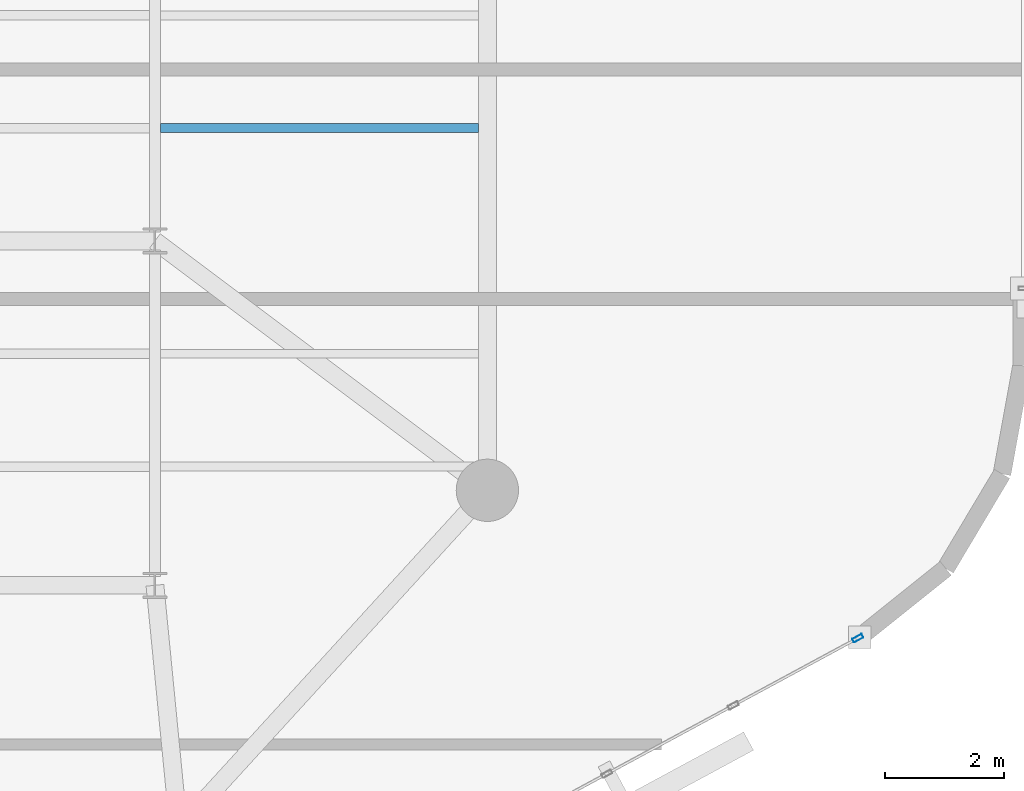
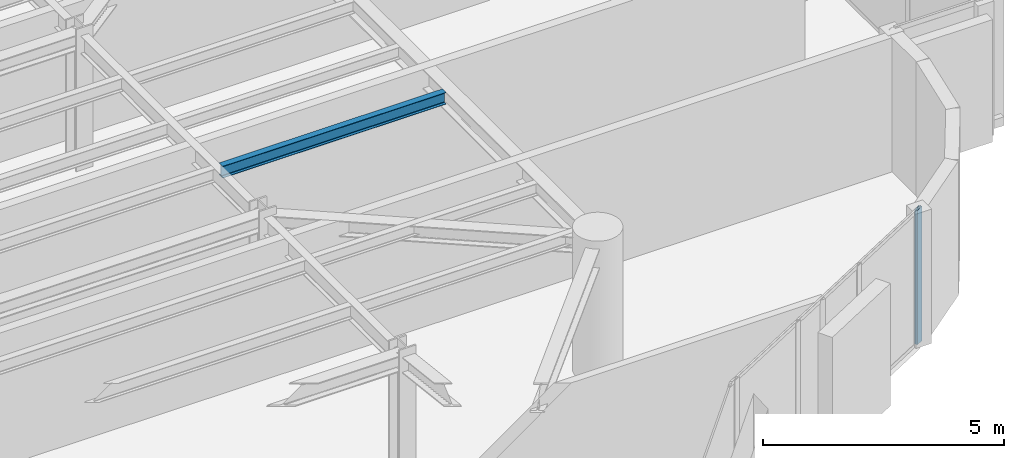
# One storey, part 3 of 14: 1 beam, 1 member, 1 element without a shape of its own.
"""IFC4 building model written with IfcOpenShell, lengths in metres."""

from ifc_helpers import new_model, si_unit, direction, frame, origin, origin_2d, place, context, subcontext, project, spatial, hollow_rectangle, i_section, extrude, material, layer, layer_set, material_profile, profile_set, type_object, element, aggregate, save


model = new_model("IFC4")

# Units and contexts
model_context = context("Model", 3, precision=1e-05, world=origin(), true_north=direction((0.0, 1.0)))
body_context = subcontext(model_context, "Body", "Model", "MODEL_VIEW")
ifc_project = project(units=[si_unit("LENGTHUNIT", "METRE"), si_unit("AREAUNIT", "SQUARE_METRE"), si_unit("VOLUMEUNIT", "CUBIC_METRE"), si_unit("PLANEANGLEUNIT", "RADIAN"), si_unit("MASSUNIT", "GRAM", prefix="KILO")], contexts=[model_context])

# Site, building, storey
site_placement = place(None, origin())
site = spatial("IfcSite", under=ifc_project, at=site_placement, CompositionType="ELEMENT")
building_placement = place(site_placement, origin())
building = spatial("IfcBuilding", under=site, at=building_placement, Name="An Khanh Terracotta Commons", CompositionType="ELEMENT")
storey_placement = place(building_placement, frame((0.0, 0.0, 219.300048828125)))
storey = spatial("IfcBuildingStorey", under=building, at=storey_placement, Name="L57", CompositionType="ELEMENT", Elevation=219.300048828125)

# Beam
ifc_material_1 = material(Name="Steel S355J2", Category="steel")
ifc_material_profile_1 = material_profile(ifc_material_1, i_section(OverallWidth=0.14990234375, OverallDepth=0.300048828125, WebThickness=0.007080078125, FlangeThickness=0.0107421875, FilletRadius=0.014892578125, at=origin_2d()), Name="IPE300")
ifc_profile_set_1 = profile_set([ifc_material_profile_1], Name="Steel S355J2")
beam_type = type_object("IfcBeamType", Name="BM-IPE300", PredefinedType="JOIST", material=ifc_profile_set_1)
beam_placement = place(storey_placement, frame((54.094970703125, 22.10009765625, 3.25), z_axis=(1.0, 0.0, 0.0), x_axis=(0.0, 1.0, 0.0)))
element("IfcBeam", 1, at=beam_placement, inside=storey, type_object=beam_type, Name="L57 Riverfront Composite Joist 3", PredefinedType="JOIST", context=body_context, shape_type="SweptSolid", body=[
    extrude(i_section(OverallWidth=0.14990234375, OverallDepth=0.300048828125, WebThickness=0.007080078125, FlangeThickness=0.0107421875, FilletRadius=0.014892578125, at=origin_2d()), origin(), (0.0, 0.0, 1.0), 5.35498046875),
])

# Curtain wall, member
ifc_material_2 = material(Name="Anodised Aluminium 6063-T6", Category="aluminium")
ifc_layer = layer(ifc_material_2, 0.2099609375, Name="Anodised Aluminium 6063-T6")
ifc_layer_set = layer_set([ifc_layer], Name="Anodised Aluminium 6063-T6")
curtain_wall_type = type_object("IfcCurtainWallType", Name="CW-SYS-03", PredefinedType="USERDEFINED", material=ifc_layer_set)
curtain_wall_placement = place(storey_placement, origin())
curtain_wall = element("IfcCurtainWall", 2, at=curtain_wall_placement, inside=storey, type_object=curtain_wall_type, Name="L57 CW-03 Unitised Curtain Wall CW-L57-08", ObjectType="UNITISED CURTAIN WALL", PredefinedType="USERDEFINED")
ifc_material_profile_2 = material_profile(ifc_material_2, hollow_rectangle(XDim=0.070068359375, YDim=0.179931640625, WallThickness=0.00390625, InnerFilletRadius=0.00390625, OuterFilletRadius=0.008056640625, at=origin_2d()), Name="RHS180x70x4")
ifc_profile_set_2 = profile_set([ifc_material_profile_2], Name="Anodised Aluminium 6063-T6")
member_type = type_object("IfcMemberType", Name="CWM-RHS180x70x4", PredefinedType="MULLION", material=ifc_profile_set_2)
member_placement = place(storey_placement, frame((65.84130859375, 13.50927734375, 0.0), z_axis=(0.0, 0.0, 1.0), x_axis=(-0.47538088298, 0.879780095306, 0.0)))
member = element("IfcMember", 3, at=member_placement, type_object=member_type, Name="CW-03 mullion 5", PredefinedType="MULLION", context=body_context, shape_type="SweptSolid", body=[
    extrude(hollow_rectangle(XDim=0.070068359375, YDim=0.179931640625, WallThickness=0.00390625, InnerFilletRadius=0.00390625, OuterFilletRadius=0.008056640625, at=origin_2d()), origin(), (0.0, 0.0, 1.0), 3.39990234375),
])
aggregate(curtain_wall, [member])

save(model, "model.ifc")
